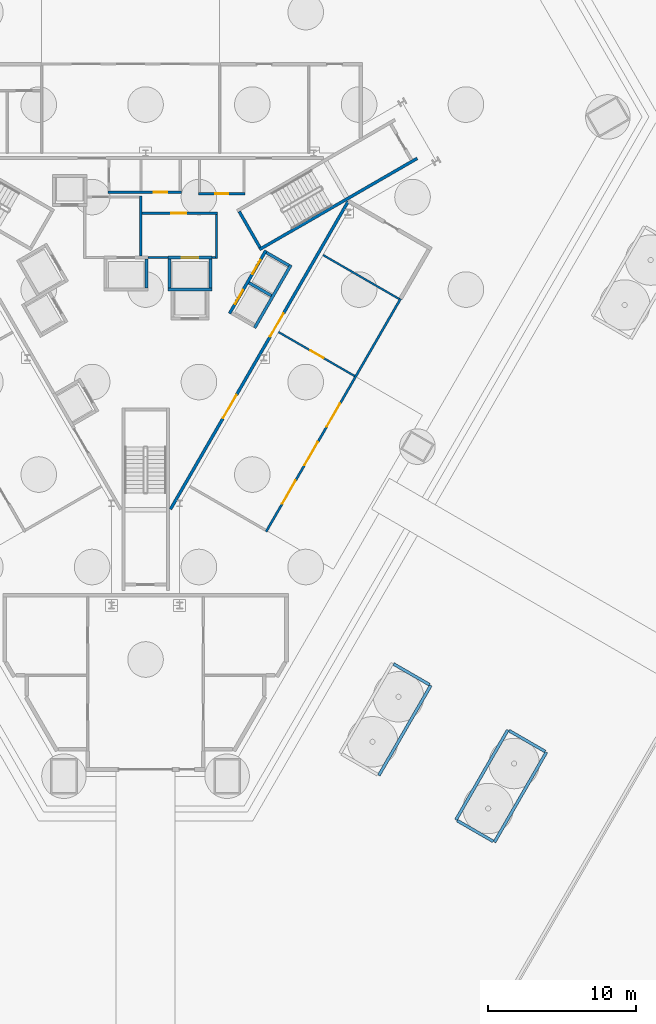
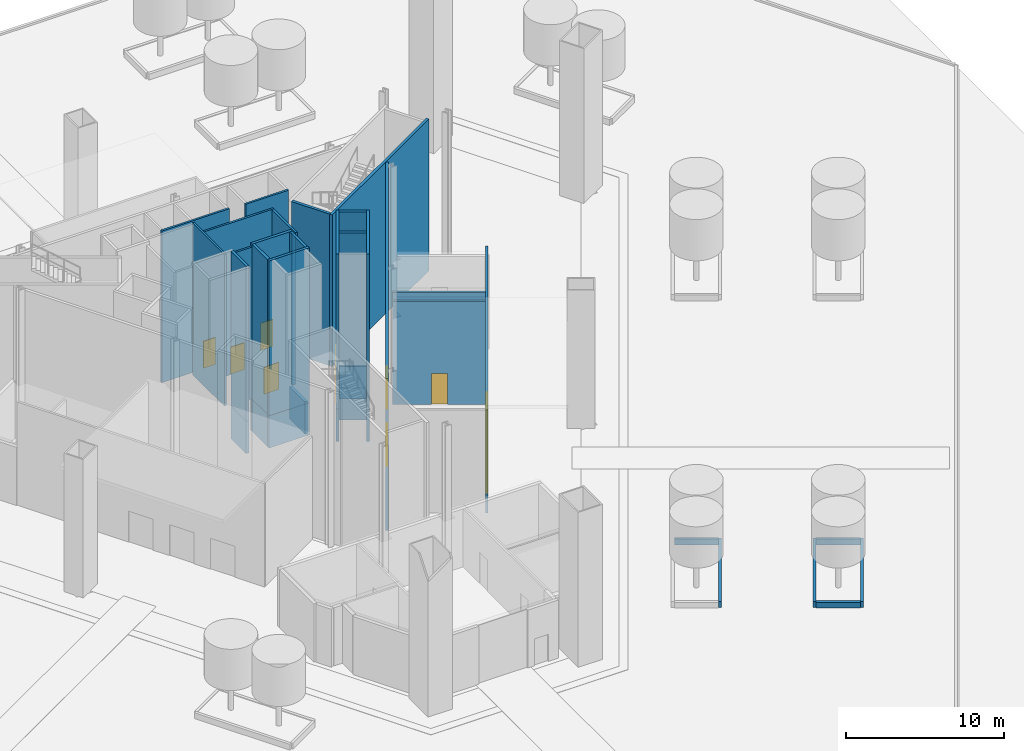
# One storey, part 7 of 22: 37 walls, 12 doors, 12 openings.
"""IFC4 building model written with IfcOpenShell, lengths in metres."""

from ifc_helpers import new_model, si_unit, direction, frame, frame_2d, origin, place, context, subcontext, project, spatial, rectangle, extrude, material, layer, layer_set, type_object, element, fill, save


model = new_model("IFC4")

# Units and contexts
model_context = context("Model", 3, precision=1e-05, world=origin(), true_north=direction((0.0, 1.0)))
body_context = subcontext(model_context, "Body", "Model", "MODEL_VIEW")
ifc_project = project(units=[si_unit("LENGTHUNIT", "METRE"), si_unit("AREAUNIT", "SQUARE_METRE"), si_unit("VOLUMEUNIT", "CUBIC_METRE"), si_unit("PLANEANGLEUNIT", "RADIAN"), si_unit("MASSUNIT", "GRAM", prefix="KILO")], contexts=[model_context])

# Site, building, storey
site_placement = place(None, origin())
site = spatial("IfcSite", under=ifc_project, at=site_placement, CompositionType="ELEMENT")
building_placement = place(site_placement, origin())
building = spatial("IfcBuilding", under=site, at=building_placement, Name="Verrane Prism Tower", CompositionType="ELEMENT")
storey_placement = place(building_placement, origin())
storey = spatial("IfcBuildingStorey", under=building, at=storey_placement, Name="L00", CompositionType="ELEMENT", Elevation=0.0)

# Wall, opening, door
ifc_material_1 = material(Name="Concrete C25/30", Category="concrete")
ifc_layer_1 = layer(ifc_material_1, 0.125)
ifc_layer_set_1 = layer_set([ifc_layer_1], Name="CB-125 concrete block demising wall 3 h")
wall_type_1 = type_object("IfcWallType", Name="CB-125 concrete block demising wall 3 h", PredefinedType="SOLIDWALL", material=ifc_layer_set_1)
wall_1_placement = place(storey_placement, frame((8.967041015625, -2.867919921875, 0.0), z_axis=(0.0, 0.0, 1.0), x_axis=(0.866051805705, -0.499954267743, 0.0)))
wall_1 = element("IfcWall", 1, at=wall_1_placement, inside=storey, type_object=wall_type_1, Name="Demising wall 037", PredefinedType="SOLIDWALL", context=body_context, shape_type="SweptSolid", body=[
    extrude(rectangle(XDim=5.92578125, YDim=0.125, at=frame_2d((2.962890625, 0.0))), origin(), (0.0, 0.0, 1.0), 8.0),
])
opening_1_placement = place(wall_1_placement, frame((2.5, 0.0, 0.0)))
opening_1 = element("IfcOpeningElement", 2, at=opening_1_placement, cuts=wall_1, Name="Opening D00013", PredefinedType="OPENING", context=body_context, shape_type="SweptSolid", body=[
    extrude(rectangle(XDim=1.0, YDim=2.39990234375, at=frame_2d((0.5, 1.199951171875))), frame((0.0, 0.072509765625, 0.0), z_axis=(0.0, -1.0, 0.0), x_axis=(1.0, 0.0, 0.0)), (0.0, 0.0, 1.0), 0.14501953125),
])
ifc_material_2 = material(Name="Timber veneered door leaf", Category="wood")
door_type_1 = type_object("IfcDoorType", Name="DR-1000x2400 single leaf room", OperationType="NOTDEFINED", PredefinedType="DOOR", material=ifc_material_2)
door_1_placement = place(opening_1_placement, origin())
door_1 = element("IfcDoor", 3, at=door_1_placement, inside=storey, type_object=door_type_1, Name="Door Hotel Reception Office", OperationType="SINGLE_SWING_LEFT", OverallHeight=2.39990234375, OverallWidth=1.0, PredefinedType="DOOR", context=body_context, shape_type="SweptSolid", body=[
    extrude(rectangle(XDim=1.0, YDim=2.39990234375, at=frame_2d((0.5, 1.199951171875))), frame((0.0, 0.02490234375, 0.0), z_axis=(0.0, -1.0, 0.0), x_axis=(1.0, 0.0, 0.0)), (0.0, 0.0, 1.0), 0.050048828125),
])
fill(opening_1, door_1)

# Wall
wall_2_placement = place(storey_placement, frame((11.967041015625, 2.327880859375, 0.0), z_axis=(0.0, 0.0, 1.0), x_axis=(0.866069644281, -0.499923365382, 0.0)))
element("IfcWall", 4, at=wall_2_placement, inside=storey, type_object=wall_type_1, Name="Demising wall 040", PredefinedType="SOLIDWALL", context=body_context, shape_type="SweptSolid", body=[
    extrude(rectangle(XDim=5.92578125, YDim=0.125, at=frame_2d((2.962890625, 0.0))), origin(), (0.0, 0.0, 1.0), 4.5),
])

# Wall, openings, doors
ifc_material_3 = material(Name="Gypsum board partition", Category="other")
ifc_layer_2 = layer(ifc_material_3, 0.199951171875)
ifc_layer_set_2 = layer_set([ifc_layer_2], Name="CW-200 core boundary wall 2 h")
wall_type_2 = type_object("IfcWallType", Name="CW-200 core boundary wall 2 h", PredefinedType="PARTITIONING", material=ifc_layer_set_2)
wall_3_placement = place(storey_placement, frame((1.679931640625, -14.810546875, 0.0), z_axis=(0.0, 0.0, 1.0), x_axis=(0.499994327219, 0.866028678941, 0.0)))
wall_3 = element("IfcWall", 5, at=wall_3_placement, inside=storey, type_object=wall_type_2, Name="Core boundary wall CW3-004", PredefinedType="PARTITIONING", context=body_context, shape_type="SweptSolid", body=[
    extrude(rectangle(XDim=23.967529296875, YDim=0.199951171875, at=frame_2d((11.98388671875, 0.0))), origin(), (0.0, 0.0, 1.0), 11.75),
])
opening_2_placement = place(wall_3_placement, frame((7.090087890625, 0.0, 0.0)))
opening_2 = element("IfcOpeningElement", 6, at=opening_2_placement, cuts=wall_3, Name="Opening D00519", PredefinedType="OPENING", context=body_context, shape_type="SweptSolid", body=[
    extrude(rectangle(XDim=1.800048828125, YDim=2.10009765625, at=frame_2d((0.89990234375, 1.050048828125))), frame((0.0, 0.10986328125, 0.0), z_axis=(0.0, -1.0, 0.0), x_axis=(1.0, 0.0, 0.0)), (0.0, 0.0, 1.0), 0.219970703125),
])
opening_3_placement = place(wall_3_placement, frame((13.43994140625, 0.0, 0.0)))
opening_3 = element("IfcOpeningElement", 7, at=opening_3_placement, cuts=wall_3, Name="Opening D00520", PredefinedType="OPENING", context=body_context, shape_type="SweptSolid", body=[
    extrude(rectangle(XDim=1.800048828125, YDim=2.10009765625, at=frame_2d((0.89990234375, 1.050048828125))), frame((0.0, 0.10986328125, 0.0), z_axis=(0.0, -1.0, 0.0), x_axis=(1.0, 0.0, 0.0)), (0.0, 0.0, 1.0), 0.219970703125),
])
ifc_material_4 = material(Name="Timber veneered door leaf", Category="wood")
door_type_2 = type_object("IfcDoorType", Name="DR-1800x2100 FD60 double leaf lift lobby", OperationType="NOTDEFINED", PredefinedType="DOOR", material=ifc_material_4)
door_2_placement = place(opening_2_placement, origin())
door_2 = element("IfcDoor", 8, at=door_2_placement, inside=storey, type_object=door_type_2, Name="Lift lobby door D00519", OperationType="DOUBLE_DOOR_SINGLE_SWING", OverallHeight=2.10009765625, OverallWidth=1.800048828125, PredefinedType="DOOR", context=body_context, shape_type="SweptSolid", body=[
    extrude(rectangle(XDim=1.800048828125, YDim=2.10009765625, at=frame_2d((0.89990234375, 1.050048828125))), frame((0.0, 0.02490234375, 0.0), z_axis=(0.0, -1.0, 0.0), x_axis=(1.0, 0.0, 0.0)), (0.0, 0.0, 1.0), 0.050048828125),
])
fill(opening_2, door_2)
door_3_placement = place(opening_3_placement, origin())
door_3 = element("IfcDoor", 9, at=door_3_placement, inside=storey, type_object=door_type_2, Name="Lift lobby door D00520", OperationType="DOUBLE_DOOR_SINGLE_SWING", OverallHeight=2.10009765625, OverallWidth=1.800048828125, PredefinedType="DOOR", context=body_context, shape_type="SweptSolid", body=[
    extrude(rectangle(XDim=1.800048828125, YDim=2.10009765625, at=frame_2d((0.89990234375, 1.050048828125))), frame((0.0, 0.02490234375, 0.0), z_axis=(0.0, -1.0, 0.0), x_axis=(1.0, 0.0, 0.0)), (0.0, 0.0, 1.0), 0.050048828125),
])
fill(opening_3, door_3)

# Walls
ifc_material_5 = material(Name="Concrete C40/50", Category="concrete")
ifc_layer_3 = layer(ifc_material_5, 0.199951171875)
ifc_layer_set_3 = layer_set([ifc_layer_3], Name="CW-200 stair core wall concrete C40/50 3 h")
wall_type_3 = type_object("IfcWallType", Name="CW-200 stair core wall concrete C40/50 3 h", PredefinedType="PARTITIONING", material=ifc_layer_set_3)
wall_4_placement = place(storey_placement, frame((7.67822265625, 2.700927734375, 0.0), z_axis=(0.0, 0.0, 1.0), x_axis=(0.866020046725, 0.500009278584, 0.0)))
element("IfcWall", 10, at=wall_4_placement, inside=storey, type_object=wall_type_3, Name="Stair 1 enclosure wall", PredefinedType="PARTITIONING", context=body_context, shape_type="SweptSolid", body=[
    extrude(rectangle(XDim=12.280029296875, YDim=0.199951171875, at=frame_2d((6.14013671875, 0.0))), origin(), (0.0, 0.0, 1.0), 11.75),
])
wall_5_placement = place(storey_placement, frame((7.71484375, 2.837646484375, 0.0), z_axis=(0.0, 0.0, 1.0), x_axis=(-0.500049511043, 0.865996816683, 0.0)))
element("IfcWall", 11, at=wall_5_placement, inside=storey, type_object=wall_type_3, Name="Stair 1 enclosure wall", PredefinedType="PARTITIONING", context=body_context, shape_type="SweptSolid", body=[
    extrude(rectangle(XDim=2.800048828125, YDim=0.199951171875, at=frame_2d((1.39990234375, 0.0))), origin(), (0.0, 0.0, 1.0), 11.75),
])
ifc_material_6 = material(Name="Gypsum board shaft wall assembly", Category="other")
ifc_layer_4 = layer(ifc_material_6, 0.199951171875)
ifc_layer_set_4 = layer_set([ifc_layer_4], Name="HW-200 lift shaft wall 2 h")
wall_type_4 = type_object("IfcWallType", Name="HW-200 lift shaft wall 2 h", PredefinedType="PARTITIONING", material=ifc_layer_set_4)
wall_6_placement = place(storey_placement, frame((1.52490234375, 0.0, 0.0), z_axis=(0.0, 0.0, 1.0), x_axis=(1.0, 0.0, 0.0)))
element("IfcWall", 12, at=wall_6_placement, inside=storey, type_object=wall_type_4, Name="Lift shaft wall", PredefinedType="PARTITIONING", context=body_context, shape_type="SweptSolid", body=[
    extrude(rectangle(XDim=2.9501953125, YDim=0.199951171875, at=frame_2d((1.47509765625, 0.0))), origin(), (0.0, 0.0, 1.0), 12.0),
])

# Wall, opening, door
wall_7_placement = place(storey_placement, frame((1.52490234375, 2.14990234375, 0.0), z_axis=(0.0, 0.0, 1.0), x_axis=(1.0, 0.0, 0.0)))
wall_7 = element("IfcWall", 13, at=wall_7_placement, inside=storey, type_object=wall_type_4, Name="Lift shaft wall", PredefinedType="PARTITIONING", context=body_context, shape_type="SweptSolid", body=[
    extrude(rectangle(XDim=2.9501953125, YDim=0.199951171875, at=frame_2d((1.47509765625, 0.0))), origin(), (0.0, 0.0, 1.0), 12.0),
])
opening_4_placement = place(wall_7_placement, frame((0.925048828125, 0.0, 0.0)))
opening_4 = element("IfcOpeningElement", 14, at=opening_4_placement, cuts=wall_7, Name="Opening D00508", PredefinedType="OPENING", context=body_context, shape_type="SweptSolid", body=[
    extrude(rectangle(XDim=1.10009765625, YDim=2.10009765625, at=frame_2d((0.550048828125, 1.050048828125))), frame((0.0, 0.10986328125, 0.0), z_axis=(0.0, -1.0, 0.0), x_axis=(1.0, 0.0, 0.0)), (0.0, 0.0, 1.0), 0.219970703125),
])
ifc_material_7 = material(Name="Stainless steel sliding landing door", Category="steel")
door_type_3 = type_object("IfcDoorType", Name="LD-1100x2100 lift landing door FD90 sliding", OperationType="NOTDEFINED", PredefinedType="DOOR", material=ifc_material_7)
door_4_placement = place(opening_4_placement, origin())
door_4 = element("IfcDoor", 15, at=door_4_placement, inside=storey, type_object=door_type_3, Name="Fire service lift 2 landing door", OperationType="SLIDING_TO_RIGHT", OverallHeight=2.10009765625, OverallWidth=1.10009765625, PredefinedType="DOOR", context=body_context, shape_type="SweptSolid", body=[
    extrude(rectangle(XDim=1.10009765625, YDim=2.10009765625, at=frame_2d((0.550048828125, 1.050048828125))), frame((0.0, 0.02490234375, 0.0), z_axis=(0.0, -1.0, 0.0), x_axis=(1.0, 0.0, 0.0)), (0.0, 0.0, 1.0), 0.050048828125),
])
fill(opening_4, door_4)

# Wall
wall_8_placement = place(storey_placement, frame((7.351318359375, -2.587158203125, 0.0), z_axis=(0.0, 0.0, 1.0), x_axis=(0.500002801628, 0.866023786258, 0.0)))
element("IfcWall", 16, at=wall_8_placement, inside=storey, type_object=wall_type_4, Name="Lift shaft wall", PredefinedType="PARTITIONING", context=body_context, shape_type="SweptSolid", body=[
    extrude(rectangle(XDim=4.89990234375, YDim=0.199951171875, at=frame_2d((2.449951171875, 0.0))), origin(), (0.0, 0.0, 1.0), 12.0),
])

# Wall, openings, doors
wall_9_placement = place(storey_placement, frame((5.66259765625, -1.6123046875, 0.0), z_axis=(0.0, 0.0, 1.0), x_axis=(0.49998122708, 0.866036242063, 0.0)))
wall_9 = element("IfcWall", 17, at=wall_9_placement, inside=storey, type_object=wall_type_4, Name="Lift shaft wall", PredefinedType="PARTITIONING", context=body_context, shape_type="SweptSolid", body=[
    extrude(rectangle(XDim=4.900146484375, YDim=0.199951171875, at=frame_2d((2.4501953125, 0.0))), origin(), (0.0, 0.0, 1.0), 12.0),
])
opening_5_placement = place(wall_9_placement, frame((3.074951171875, 0.0, 0.0)))
opening_5 = element("IfcOpeningElement", 18, at=opening_5_placement, cuts=wall_9, Name="Opening D00503", PredefinedType="OPENING", context=body_context, shape_type="SweptSolid", body=[
    extrude(rectangle(XDim=1.10009765625, YDim=2.10009765625, at=frame_2d((0.550048828125, 1.050048828125))), frame((0.0, 0.10986328125, 0.0), z_axis=(0.0, -1.0, 0.0), x_axis=(1.0, 0.0, 0.0)), (0.0, 0.0, 1.0), 0.219970703125),
])
opening_6_placement = place(wall_9_placement, frame((0.72509765625, 0.0, 0.0)))
opening_6 = element("IfcOpeningElement", 19, at=opening_6_placement, cuts=wall_9, Name="Opening D00505", PredefinedType="OPENING", context=body_context, shape_type="SweptSolid", body=[
    extrude(rectangle(XDim=1.10009765625, YDim=2.10009765625, at=frame_2d((0.550048828125, 1.050048828125))), frame((0.0, 0.10986328125, 0.0), z_axis=(0.0, -1.0, 0.0), x_axis=(1.0, 0.0, 0.0)), (0.0, 0.0, 1.0), 0.219970703125),
])
door_5_placement = place(opening_5_placement, origin())
door_5 = element("IfcDoor", 20, at=door_5_placement, inside=storey, type_object=door_type_3, Name="Shuttle lift 1 landing door", OperationType="SLIDING_TO_LEFT", OverallHeight=2.10009765625, OverallWidth=1.10009765625, PredefinedType="DOOR", context=body_context, shape_type="SweptSolid", body=[
    extrude(rectangle(XDim=1.10009765625, YDim=2.10009765625, at=frame_2d((0.550048828125, 1.050048828125))), frame((0.0, 0.02490234375, 0.0), z_axis=(0.0, -1.0, 0.0), x_axis=(1.0, 0.0, 0.0)), (0.0, 0.0, 1.0), 0.050048828125),
])
fill(opening_5, door_5)
door_6_placement = place(opening_6_placement, origin())
door_6 = element("IfcDoor", 21, at=door_6_placement, inside=storey, type_object=door_type_3, Name="Shuttle lift 3 landing door", OperationType="SLIDING_TO_LEFT", OverallHeight=2.10009765625, OverallWidth=1.10009765625, PredefinedType="DOOR", context=body_context, shape_type="SweptSolid", body=[
    extrude(rectangle(XDim=1.10009765625, YDim=2.10009765625, at=frame_2d((0.550048828125, 1.050048828125))), frame((0.0, 0.02490234375, 0.0), z_axis=(0.0, -1.0, 0.0), x_axis=(1.0, 0.0, 0.0)), (0.0, 0.0, 1.0), 0.050048828125),
])
fill(opening_6, door_6)

# Walls
for number, where, z_axis, x_axis, name in (
    (22, (4.375, 0.10009765625, 0.0), (0.0, 0.0, 1.0), (0.0, 1.0, 0.0), "Lift shaft wall"),
    (23, (1.625, 0.10009765625, 0.0), (0.0, 0.0, 1.0), (0.0, 1.0, 0.0), "Lift shaft wall"),
    (24, (0.06494140625, 0.10009765625, 0.0), (0.0, 0.0, 1.0), (0.0, 1.0, 0.0), "Lift shaft wall"),
):
    element("IfcWall", number, at=place(storey_placement, frame(where, z_axis=z_axis, x_axis=x_axis)), inside=storey, type_object=wall_type_4, Name=name, PredefinedType="PARTITIONING", context=body_context, shape_type="SweptSolid", body=[
        extrude(rectangle(XDim=1.949951171875, YDim=0.199951171875, at=frame_2d((0.97509765625, 0.0))), origin(), (0.0, 0.0, 1.0), 12.0),
    ])
wall_10_placement = place(storey_placement, frame((9.66455078125, 1.61962890625, 0.0), z_axis=(0.0, 0.0, 1.0), x_axis=(-0.866002029911, 0.500040482552, 0.0)))
element("IfcWall", 25, at=wall_10_placement, inside=storey, type_object=wall_type_4, Name="Lift shaft wall", PredefinedType="PARTITIONING", context=body_context, shape_type="SweptSolid", body=[
    extrude(rectangle(XDim=1.749755859375, YDim=0.199951171875, at=frame_2d((0.875, 0.0))), origin(), (0.0, 0.0, 1.0), 12.0),
])
wall_11_placement = place(storey_placement, frame((8.48974609375, -0.41552734375, 0.0), z_axis=(0.0, 0.0, 1.0), x_axis=(-0.866036909293, 0.499980071345, 0.0)))
element("IfcWall", 26, at=wall_11_placement, inside=storey, type_object=wall_type_4, Name="Lift shaft wall", PredefinedType="PARTITIONING", context=body_context, shape_type="SweptSolid", body=[
    extrude(rectangle(XDim=1.75, YDim=0.199951171875, at=frame_2d((0.875, 0.0))), origin(), (0.0, 0.0, 1.0), 12.0),
])
for number, where, z_axis, x_axis, name in (
    (27, (1.52490234375, 0.0, -2.5), (0.0, 0.0, 1.0), (1.0, 0.0, 0.0), "Lift pit wall"),
    (28, (1.52490234375, 2.14990234375, -2.5), (0.0, 0.0, 1.0), (1.0, 0.0, 0.0), "Lift pit wall"),
):
    element("IfcWall", number, at=place(storey_placement, frame(where, z_axis=z_axis, x_axis=x_axis)), inside=storey, type_object=wall_type_4, Name=name, PredefinedType="PARTITIONING", context=body_context, shape_type="SweptSolid", body=[
        extrude(rectangle(XDim=2.9501953125, YDim=0.199951171875, at=frame_2d((1.47509765625, 0.0))), origin(), (0.0, 0.0, 1.0), 2.5),
    ])
wall_12_placement = place(storey_placement, frame((7.351318359375, -2.587158203125, -2.5), z_axis=(0.0, 0.0, 1.0), x_axis=(0.500002801628, 0.866023786258, 0.0)))
element("IfcWall", 29, at=wall_12_placement, inside=storey, type_object=wall_type_4, Name="Lift pit wall", PredefinedType="PARTITIONING", context=body_context, shape_type="SweptSolid", body=[
    extrude(rectangle(XDim=4.89990234375, YDim=0.199951171875, at=frame_2d((2.449951171875, 0.0))), origin(), (0.0, 0.0, 1.0), 2.5),
])
wall_13_placement = place(storey_placement, frame((5.66259765625, -1.6123046875, -2.5), z_axis=(0.0, 0.0, 1.0), x_axis=(0.49998122708, 0.866036242063, 0.0)))
element("IfcWall", 30, at=wall_13_placement, inside=storey, type_object=wall_type_4, Name="Lift pit wall", PredefinedType="PARTITIONING", context=body_context, shape_type="SweptSolid", body=[
    extrude(rectangle(XDim=4.900146484375, YDim=0.199951171875, at=frame_2d((2.4501953125, 0.0))), origin(), (0.0, 0.0, 1.0), 2.5),
])
for number, where, z_axis, x_axis, name in (
    (31, (4.375, 0.10009765625, -2.5), (0.0, 0.0, 1.0), (0.0, 1.0, 0.0), "Lift pit wall"),
    (32, (1.625, 0.10009765625, -2.5), (0.0, 0.0, 1.0), (0.0, 1.0, 0.0), "Lift pit wall"),
    (33, (0.06494140625, 0.10009765625, -2.5), (0.0, 0.0, 1.0), (0.0, 1.0, 0.0), "Lift pit wall"),
):
    element("IfcWall", number, at=place(storey_placement, frame(where, z_axis=z_axis, x_axis=x_axis)), inside=storey, type_object=wall_type_4, Name=name, PredefinedType="PARTITIONING", context=body_context, shape_type="SweptSolid", body=[
        extrude(rectangle(XDim=1.949951171875, YDim=0.199951171875, at=frame_2d((0.97509765625, 0.0))), origin(), (0.0, 0.0, 1.0), 2.5),
    ])
wall_14_placement = place(storey_placement, frame((9.66455078125, 1.61962890625, -2.5), z_axis=(0.0, 0.0, 1.0), x_axis=(-0.866002029911, 0.500040482552, 0.0)))
element("IfcWall", 34, at=wall_14_placement, inside=storey, type_object=wall_type_4, Name="Lift pit wall", PredefinedType="PARTITIONING", context=body_context, shape_type="SweptSolid", body=[
    extrude(rectangle(XDim=1.749755859375, YDim=0.199951171875, at=frame_2d((0.875, 0.0))), origin(), (0.0, 0.0, 1.0), 2.5),
])
wall_15_placement = place(storey_placement, frame((8.48974609375, -0.41552734375, -2.5), z_axis=(0.0, 0.0, 1.0), x_axis=(-0.866036909293, 0.499980071345, 0.0)))
element("IfcWall", 35, at=wall_15_placement, inside=storey, type_object=wall_type_4, Name="Lift pit wall", PredefinedType="PARTITIONING", context=body_context, shape_type="SweptSolid", body=[
    extrude(rectangle(XDim=1.75, YDim=0.199951171875, at=frame_2d((0.875, 0.0))), origin(), (0.0, 0.0, 1.0), 2.5),
])
ifc_material_8 = material(Name="Granite kerb on concrete C25/30", Category="masonry")
ifc_layer_5 = layer(ifc_material_8, 0.199951171875)
ifc_layer_set_5 = layer_set([ifc_layer_5], Name="KB-200 granite kerb")
wall_type_5 = type_object("IfcWallType", Name="KB-200 granite kerb", PredefinedType="SOLIDWALL", material=ifc_layer_set_5)
wall_16_placement = place(storey_placement, frame((19.230712890625, -26.69140625, 0.0), z_axis=(0.0, 0.0, 1.0), x_axis=(-0.500010275428, -0.866019471182, 0.0)))
element("IfcWall", 36, at=wall_16_placement, inside=storey, type_object=wall_type_5, Name="Bed kerb 9.2", PredefinedType="SOLIDWALL", context=body_context, shape_type="SweptSolid", body=[
    extrude(rectangle(XDim=6.999755859375, YDim=0.199951171875, at=frame_2d((3.5, 0.0))), origin(), (0.0, 0.0, 1.0), 0.449951171875),
])
wall_17_placement = place(storey_placement, frame((16.71923828125, -25.2412109375, 0.0), z_axis=(0.0, 0.0, 1.0), x_axis=(0.866018616679, -0.500011755427, 0.0)))
element("IfcWall", 37, at=wall_17_placement, inside=storey, type_object=wall_type_5, Name="Bed kerb 9.3", PredefinedType="SOLIDWALL", context=body_context, shape_type="SweptSolid", body=[
    extrude(rectangle(XDim=2.80029296875, YDim=0.199951171875, at=frame_2d((1.400146484375, 0.0))), origin(), (0.0, 0.0, 1.0), 0.449951171875),
])
for number, where, z_axis, x_axis, name in (
    (38, (20.927001953125, -35.75341796875, 0.0), (0.0, 0.0, 1.0), (0.500010275428, 0.866019471182, 0.0), "Bed kerb 11.1"),
    (39, (27.02490234375, -31.19140625, 0.0), (0.0, 0.0, 1.0), (-0.500010275428, -0.866019471182, 0.0), "Bed kerb 11.2"),
):
    element("IfcWall", number, at=place(storey_placement, frame(where, z_axis=z_axis, x_axis=x_axis)), inside=storey, type_object=wall_type_5, Name=name, PredefinedType="SOLIDWALL", context=body_context, shape_type="SweptSolid", body=[
        extrude(rectangle(XDim=6.999755859375, YDim=0.199951171875, at=frame_2d((3.5, 0.0))), origin(), (0.0, 0.0, 1.0), 0.449951171875),
    ])
for number, where, z_axis, x_axis, name in (
    (40, (24.513427734375, -29.7412109375, 0.0), (0.0, 0.0, 1.0), (0.866018616679, -0.500011755427, 0.0), "Bed kerb 11.3"),
    (41, (23.4384765625, -37.20361328125, 0.0), (0.0, 0.0, 1.0), (-0.866018616679, 0.500011755427, 0.0), "Bed kerb 11.4"),
):
    element("IfcWall", number, at=place(storey_placement, frame(where, z_axis=z_axis, x_axis=x_axis)), inside=storey, type_object=wall_type_5, Name=name, PredefinedType="SOLIDWALL", context=body_context, shape_type="SweptSolid", body=[
        extrude(rectangle(XDim=2.80029296875, YDim=0.199951171875, at=frame_2d((1.400146484375, 0.0))), origin(), (0.0, 0.0, 1.0), 0.449951171875),
    ])
ifc_material_9 = material(Name="Gypsum board partition", Category="other")
ifc_layer_6 = layer(ifc_material_9, 0.14990234375)
ifc_layer_set_6 = layer_set([ifc_layer_6], Name="LF-150 firefighting lobby wall 1 h")
wall_type_6 = type_object("IfcWallType", Name="LF-150 firefighting lobby wall 1 h", PredefinedType="PARTITIONING", material=ifc_layer_set_6)
wall_18_placement = place(storey_placement, frame((-0.320068359375, 2.251953125, 0.0), z_axis=(0.0, 0.0, 1.0), x_axis=(0.0, 1.0, 0.0)))
element("IfcWall", 42, at=wall_18_placement, inside=storey, type_object=wall_type_6, Name="Firefighting lobby wall LF1-004", PredefinedType="PARTITIONING", context=body_context, shape_type="SweptSolid", body=[
    extrude(rectangle(XDim=4.06298828125, YDim=0.14990234375, at=frame_2d((2.031494140625, 0.0))), origin(), (0.0, 0.0, 1.0), 11.75),
])

# Wall, opening, door
wall_19_placement = place(storey_placement, frame((-0.2451171875, 5.139892578125, 0.0), z_axis=(0.0, 0.0, 1.0), x_axis=(1.0, 0.0, 0.0)))
wall_19 = element("IfcWall", 43, at=wall_19_placement, inside=storey, type_object=wall_type_6, Name="Firefighting lobby wall LF1-005", PredefinedType="PARTITIONING", context=body_context, shape_type="SweptSolid", body=[
    extrude(rectangle(XDim=5.110107421875, YDim=0.14990234375, at=frame_2d((2.55517578125, 0.0))), origin(), (0.0, 0.0, 1.0), 11.75),
])
opening_7_placement = place(wall_19_placement, frame((1.97509765625, 0.0, 0.0)))
opening_7 = element("IfcOpeningElement", 44, at=opening_7_placement, cuts=wall_19, Name="Opening D00518", PredefinedType="OPENING", context=body_context, shape_type="SweptSolid", body=[
    extrude(rectangle(XDim=1.0, YDim=2.10009765625, at=frame_2d((0.5, 1.050048828125))), frame((0.0, 0.0849609375, 0.0), z_axis=(0.0, -1.0, 0.0), x_axis=(1.0, 0.0, 0.0)), (0.0, 0.0, 1.0), 0.169921875),
])
ifc_material_10 = material(Name="Timber veneered door leaf", Category="wood")
door_type_4 = type_object("IfcDoorType", Name="DR-1000x2100 FD60 single leaf firefighting lobby", OperationType="NOTDEFINED", PredefinedType="DOOR", material=ifc_material_10)
door_7_placement = place(opening_7_placement, origin())
door_7 = element("IfcDoor", 45, at=door_7_placement, inside=storey, type_object=door_type_4, Name="Firefighting lobby door D00518", OperationType="SINGLE_SWING_RIGHT", OverallHeight=2.10009765625, OverallWidth=1.0, PredefinedType="DOOR", context=body_context, shape_type="SweptSolid", body=[
    extrude(rectangle(XDim=1.0, YDim=2.10009765625, at=frame_2d((0.5, 1.050048828125))), frame((0.0, 0.02490234375, 0.0), z_axis=(0.0, -1.0, 0.0), x_axis=(1.0, 0.0, 0.0)), (0.0, 0.0, 1.0), 0.050048828125),
])
fill(opening_7, door_7)

# Walls
wall_20_placement = place(storey_placement, frame((0.1669921875, 2.159912109375, 0.0), z_axis=(0.0, 0.0, 1.0), x_axis=(1.0, 0.0, 0.0)))
element("IfcWall", 46, at=wall_20_placement, inside=storey, type_object=wall_type_6, Name="Firefighting lobby wall LF1-006", PredefinedType="PARTITIONING", context=body_context, shape_type="SweptSolid", body=[
    extrude(rectangle(XDim=1.35595703125, YDim=0.14990234375, at=frame_2d((0.677978515625, 0.0))), origin(), (0.0, 0.0, 1.0), 11.75),
])
wall_21_placement = place(storey_placement, frame((4.47705078125, 2.159912109375, 0.0), z_axis=(0.0, 0.0, 1.0), x_axis=(1.0, 0.0, 0.0)))
element("IfcWall", 47, at=wall_21_placement, inside=storey, type_object=wall_type_6, Name="Firefighting lobby wall LF1-007", PredefinedType="PARTITIONING", context=body_context, shape_type="SweptSolid", body=[
    extrude(rectangle(XDim=0.238037109375, YDim=0.14990234375, at=frame_2d((0.119140625, 0.0))), origin(), (0.0, 0.0, 1.0), 11.75),
])
wall_22_placement = place(storey_placement, frame((4.7900390625, 2.0849609375, 0.0), z_axis=(0.0, 0.0, 1.0), x_axis=(0.0, 1.0, 0.0)))
element("IfcWall", 48, at=wall_22_placement, inside=storey, type_object=wall_type_6, Name="Firefighting lobby wall LF1-008", PredefinedType="PARTITIONING", context=body_context, shape_type="SweptSolid", body=[
    extrude(rectangle(XDim=2.97998046875, YDim=0.14990234375, at=frame_2d((1.489990234375, 0.0))), origin(), (0.0, 0.0, 1.0), 11.75),
])

# Wall, opening, door
ifc_material_11 = material(Name="Gypsum board partition", Category="other")
ifc_layer_7 = layer(ifc_material_11, 0.14990234375)
ifc_layer_set_7 = layer_set([ifc_layer_7], Name="RS-150 riser enclosure wall 1 h")
wall_type_7 = type_object("IfcWallType", Name="RS-150 riser enclosure wall 1 h", PredefinedType="PARTITIONING", material=ifc_layer_set_7)
wall_23_placement = place(storey_placement, frame((-2.534912109375, 6.56005859375, 0.0), z_axis=(0.0, 0.0, 1.0), x_axis=(1.0, 0.0, 0.0)))
wall_23 = element("IfcWall", 49, at=wall_23_placement, inside=storey, type_object=wall_type_7, Name="Riser wall RS3-002", PredefinedType="PARTITIONING", context=body_context, shape_type="SweptSolid", body=[
    extrude(rectangle(XDim=4.949951171875, YDim=0.14990234375, at=frame_2d((2.47509765625, 0.0))), origin(), (0.0, 0.0, 1.0), 11.75),
])
opening_8_placement = place(wall_23_placement, frame((3.0849609375, 0.0, 0.0)))
opening_8 = element("IfcOpeningElement", 50, at=opening_8_placement, cuts=wall_23, Name="Opening D00517", PredefinedType="OPENING", context=body_context, shape_type="SweptSolid", body=[
    extrude(rectangle(XDim=0.89990234375, YDim=2.10009765625, at=frame_2d((0.449951171875, 1.050048828125))), frame((0.0, 0.0849609375, 0.0), z_axis=(0.0, -1.0, 0.0), x_axis=(1.0, 0.0, 0.0)), (0.0, 0.0, 1.0), 0.169921875),
])
ifc_material_12 = material(Name="Timber veneered door leaf", Category="wood")
door_type_5 = type_object("IfcDoorType", Name="DR-900x2100 FD60 single leaf riser", OperationType="NOTDEFINED", PredefinedType="DOOR", material=ifc_material_12)
door_8_placement = place(opening_8_placement, origin())
door_8 = element("IfcDoor", 51, at=door_8_placement, inside=storey, type_object=door_type_5, Name="Riser door D00517", OperationType="SINGLE_SWING_RIGHT", OverallHeight=2.10009765625, OverallWidth=0.89990234375, PredefinedType="DOOR", context=body_context, shape_type="SweptSolid", body=[
    extrude(rectangle(XDim=0.89990234375, YDim=2.10009765625, at=frame_2d((0.449951171875, 1.050048828125))), frame((0.0, 0.02490234375, 0.0), z_axis=(0.0, -1.0, 0.0), x_axis=(1.0, 0.0, 0.0)), (0.0, 0.0, 1.0), 0.050048828125),
])
fill(opening_8, door_8)

wall_24_placement = place(storey_placement, frame((3.56494140625, 6.4599609375, 0.0), z_axis=(0.0, 0.0, 1.0), x_axis=(1.0, 0.0, 0.0)))
wall_24 = element("IfcWall", 52, at=wall_24_placement, inside=storey, type_object=wall_type_7, Name="Riser wall RS3-006", PredefinedType="PARTITIONING", context=body_context, shape_type="SweptSolid", body=[
    extrude(rectangle(XDim=3.150146484375, YDim=0.14990234375, at=frame_2d((1.5751953125, 0.0))), origin(), (0.0, 0.0, 1.0), 11.75),
])
opening_9_placement = place(wall_24_placement, frame((1.125, 0.0, 0.0)))
opening_9 = element("IfcOpeningElement", 53, at=opening_9_placement, cuts=wall_24, Name="Opening D00521", PredefinedType="OPENING", context=body_context, shape_type="SweptSolid", body=[
    extrude(rectangle(XDim=0.89990234375, YDim=2.10009765625, at=frame_2d((0.449951171875, 1.050048828125))), frame((0.0, 0.0849609375, 0.0), z_axis=(0.0, -1.0, 0.0), x_axis=(1.0, 0.0, 0.0)), (0.0, 0.0, 1.0), 0.169921875),
])
ifc_material_13 = material(Name="Timber veneered door leaf", Category="wood")
door_type_6 = type_object("IfcDoorType", Name="DR-900x2100 FD60 single leaf store", OperationType="NOTDEFINED", PredefinedType="DOOR", material=ifc_material_13)
door_9_placement = place(opening_9_placement, origin())
door_9 = element("IfcDoor", 54, at=door_9_placement, inside=storey, type_object=door_type_6, Name="Room door D00521", OperationType="SINGLE_SWING_RIGHT", OverallHeight=2.10009765625, OverallWidth=0.89990234375, PredefinedType="DOOR", context=body_context, shape_type="SweptSolid", body=[
    extrude(rectangle(XDim=0.89990234375, YDim=2.10009765625, at=frame_2d((0.449951171875, 1.050048828125))), frame((0.0, 0.02490234375, 0.0), z_axis=(0.0, -1.0, 0.0), x_axis=(1.0, 0.0, 0.0)), (0.0, 0.0, 1.0), 0.050048828125),
])
fill(opening_9, door_9)

# Wall, openings, doors
ifc_material_14 = material(Name="Aluminium storefront glazing", Category="aluminium")
ifc_layer_8 = layer(ifc_material_14, 0.14990234375)
ifc_layer_set_8 = layer_set([ifc_layer_8], Name="SF-150 glazed storefront wall")
wall_type_8 = type_object("IfcWallType", Name="SF-150 glazed storefront wall", PredefinedType="SOLIDWALL", material=ifc_layer_set_8)
wall_25_placement = place(storey_placement, frame((8.12646484375, -16.324951171875, 0.0), z_axis=(0.0, 0.0, 1.0), x_axis=(0.500016083065, 0.866016118023, 0.0)))
wall_25 = element("IfcWall", 55, at=wall_25_placement, inside=storey, type_object=wall_type_8, Name="Storefront wall 035", PredefinedType="SOLIDWALL", context=body_context, shape_type="SweptSolid", body=[
    extrude(rectangle(XDim=18.13720703125, YDim=0.14990234375, at=frame_2d((9.068603515625, 0.0))), origin(), (0.0, 0.0, 1.0), 8.0),
])
opening_10_placement = place(wall_25_placement, frame((2.175048828125, 0.0, 0.0)))
opening_10 = element("IfcOpeningElement", 56, at=opening_10_placement, cuts=wall_25, Name="Opening D00010", PredefinedType="OPENING", context=body_context, shape_type="SweptSolid", body=[
    extrude(rectangle(XDim=1.800048828125, YDim=2.39990234375, at=frame_2d((0.89990234375, 1.199951171875))), frame((0.0, 0.0849609375, 0.0), z_axis=(0.0, -1.0, 0.0), x_axis=(1.0, 0.0, 0.0)), (0.0, 0.0, 1.0), 0.169921875),
])
opening_11_placement = place(wall_25_placement, frame((5.175048828125, 0.0, 0.0)))
opening_11 = element("IfcOpeningElement", 57, at=opening_11_placement, cuts=wall_25, Name="Opening D00011", PredefinedType="OPENING", context=body_context, shape_type="SweptSolid", body=[
    extrude(rectangle(XDim=1.800048828125, YDim=2.39990234375, at=frame_2d((0.89990234375, 1.199951171875))), frame((0.0, 0.0849609375, 0.0), z_axis=(0.0, -1.0, 0.0), x_axis=(1.0, 0.0, 0.0)), (0.0, 0.0, 1.0), 0.169921875),
])
opening_12_placement = place(wall_25_placement, frame((8.175048828125, 0.0, 0.0)))
opening_12 = element("IfcOpeningElement", 58, at=opening_12_placement, cuts=wall_25, Name="Opening D00012", PredefinedType="OPENING", context=body_context, shape_type="SweptSolid", body=[
    extrude(rectangle(XDim=1.800048828125, YDim=2.39990234375, at=frame_2d((0.89990234375, 1.199951171875))), frame((0.0, 0.0849609375, 0.0), z_axis=(0.0, -1.0, 0.0), x_axis=(1.0, 0.0, 0.0)), (0.0, 0.0, 1.0), 0.169921875),
])
ifc_material_15 = material(Name="Aluminium and glass door leaf", Category="aluminium")
door_type_7 = type_object("IfcDoorType", Name="DR-1800x2400 double leaf entrance", OperationType="NOTDEFINED", PredefinedType="DOOR", material=ifc_material_15)
door_10_placement = place(opening_10_placement, frame((1.800048828125, 0.0, 0.0), z_axis=(0.0, 0.0, 1.0), x_axis=(-1.0, 0.0, 0.0)))
door_10 = element("IfcDoor", 59, at=door_10_placement, inside=storey, type_object=door_type_7, Name="Exit door Hotel Lobby", OperationType="DOUBLE_DOOR_SINGLE_SWING", OverallHeight=2.39990234375, OverallWidth=1.800048828125, PredefinedType="DOOR", context=body_context, shape_type="SweptSolid", body=[
    extrude(rectangle(XDim=1.800048828125, YDim=2.39990234375, at=frame_2d((0.89990234375, 1.199951171875))), frame((0.0, 0.02490234375, 0.0), z_axis=(0.0, -1.0, 0.0), x_axis=(1.0, 0.0, 0.0)), (0.0, 0.0, 1.0), 0.050048828125),
])
fill(opening_10, door_10)
door_11_placement = place(opening_11_placement, frame((1.800048828125, 0.0, 0.0), z_axis=(0.0, 0.0, 1.0), x_axis=(-1.0, 0.0, 0.0)))
door_11 = element("IfcDoor", 60, at=door_11_placement, inside=storey, type_object=door_type_7, Name="Exit door Hotel Lobby", OperationType="DOUBLE_DOOR_SINGLE_SWING", OverallHeight=2.39990234375, OverallWidth=1.800048828125, PredefinedType="DOOR", context=body_context, shape_type="SweptSolid", body=[
    extrude(rectangle(XDim=1.800048828125, YDim=2.39990234375, at=frame_2d((0.89990234375, 1.199951171875))), frame((0.0, 0.02490234375, 0.0), z_axis=(0.0, -1.0, 0.0), x_axis=(1.0, 0.0, 0.0)), (0.0, 0.0, 1.0), 0.050048828125),
])
fill(opening_11, door_11)
door_12_placement = place(opening_12_placement, frame((1.800048828125, 0.0, 0.0), z_axis=(0.0, 0.0, 1.0), x_axis=(-1.0, 0.0, 0.0)))
door_12 = element("IfcDoor", 61, at=door_12_placement, inside=storey, type_object=door_type_7, Name="Exit door Hotel Lobby", OperationType="DOUBLE_DOOR_SINGLE_SWING", OverallHeight=2.39990234375, OverallWidth=1.800048828125, PredefinedType="DOOR", context=body_context, shape_type="SweptSolid", body=[
    extrude(rectangle(XDim=1.800048828125, YDim=2.39990234375, at=frame_2d((0.89990234375, 1.199951171875))), frame((0.0, 0.02490234375, 0.0), z_axis=(0.0, -1.0, 0.0), x_axis=(1.0, 0.0, 0.0)), (0.0, 0.0, 1.0), 0.050048828125),
])
fill(opening_12, door_12)

save(model, "model.ifc")
